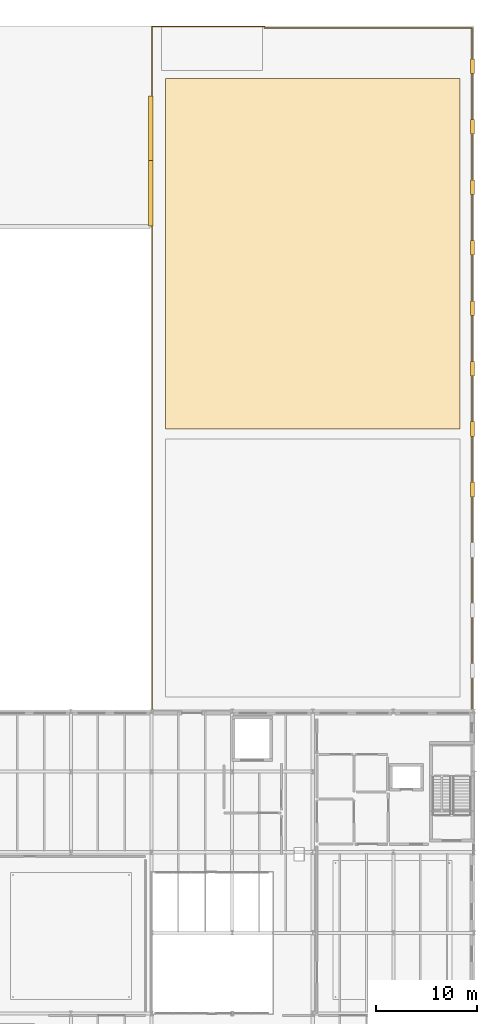
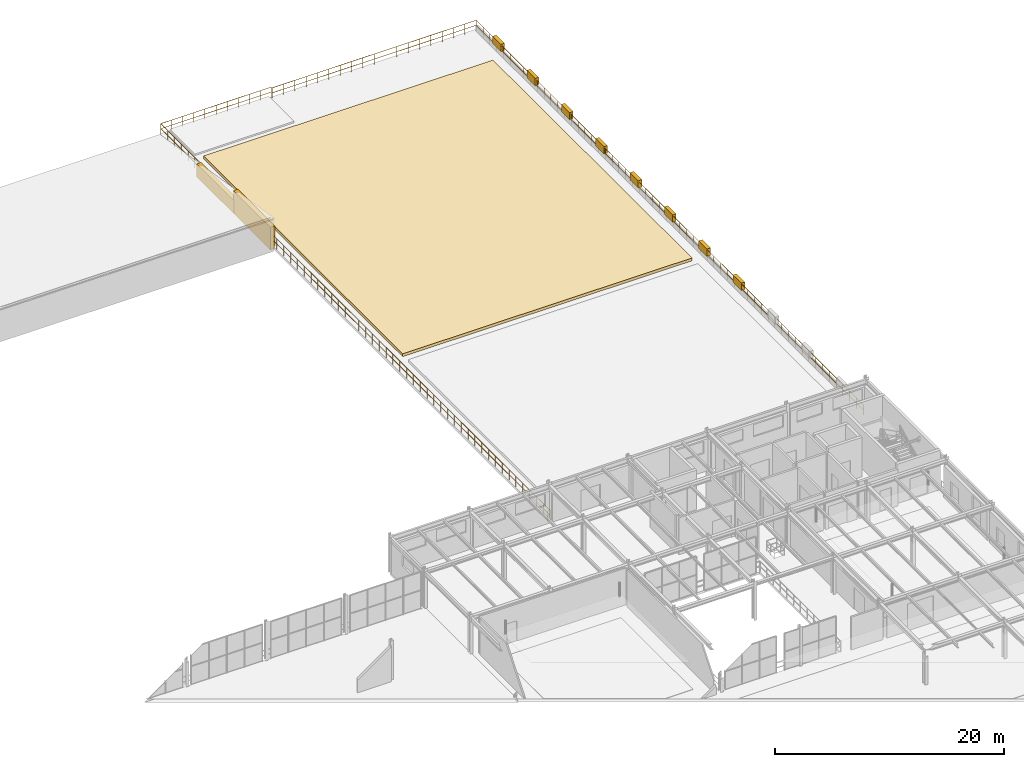
# One storey, part 67 of 67: 11 coverings, 2 railings.
"""IFC4 building model written with IfcOpenShell, lengths in metres."""

from ifc_helpers import new_model, si_unit, direction, frame, origin, origin_2d, place, context, subcontext, project, spatial, polyline, rectangle, circle, outline, extrude, material, layer, layer_set, type_object, element, save


model = new_model("IFC4")

# Units and contexts
model_context = context("Model", 3, precision=1e-05, world=origin(), true_north=direction((0.0, 1.0)))
body_context = subcontext(model_context, "Body", "Model", "MODEL_VIEW")
ifc_project = project(units=[si_unit("LENGTHUNIT", "METRE"), si_unit("AREAUNIT", "SQUARE_METRE"), si_unit("VOLUMEUNIT", "CUBIC_METRE"), si_unit("PLANEANGLEUNIT", "RADIAN"), si_unit("MASSUNIT", "GRAM", prefix="KILO")], contexts=[model_context])

# Site, building, storey
site_placement = place(None, origin())
site = spatial("IfcSite", under=ifc_project, at=site_placement, CompositionType="ELEMENT")
building_placement = place(site_placement, origin())
building = spatial("IfcBuilding", under=site, at=building_placement, Name="Sundkrona Museum", CompositionType="ELEMENT")
storey_placement = place(building_placement, frame((0.0, 0.0, 21.800048828125)))
storey = spatial("IfcBuildingStorey", under=building, at=storey_placement, Name="L04", CompositionType="ELEMENT", Elevation=21.800048828125)

# Coverings
ifc_material_1 = material(Name="Frost-Resistant Vitrified Stoneware Mosaic Cladding", Category="masonry")
ifc_layer_1 = layer(ifc_material_1, 0.044921875)
ifc_layer_set_1 = layer_set([ifc_layer_1], Name="Frost-Resistant Vitrified Stoneware Mosaic Cladding")
covering_type_1 = type_object("IfcCoveringType", Name="COV-CLD-MOS", PredefinedType="CLADDING", material=ifc_layer_set_1)
for number, where, z_axis, x_axis, name in (
    (1, (167.85009765625, 68.0, 0.52978515625), (0.0, 0.0, 1.0), (1.0, 0.0, 0.0), "Catalan Modernisme Stepped Ceramic Merlon 10"),
    (2, (167.85009765625, 74.0, 0.52978515625), (0.0, 0.0, 1.0), (1.0, 0.0, 0.0), "Catalan Modernisme Stepped Ceramic Merlon 11"),
    (3, (167.85009765625, 80.0, 0.52978515625), (0.0, 0.0, 1.0), (1.0, 0.0, 0.0), "Catalan Modernisme Stepped Ceramic Merlon 12"),
    (4, (167.85009765625, 86.0, 0.52978515625), (0.0, 0.0, 1.0), (1.0, 0.0, 0.0), "Catalan Modernisme Stepped Ceramic Merlon 13"),
    (5, (167.85009765625, 92.0, 0.52978515625), (0.0, 0.0, 1.0), (1.0, 0.0, 0.0), "Catalan Modernisme Stepped Ceramic Merlon 14"),
    (6, (167.85009765625, 98.0, 0.52978515625), (0.0, 0.0, 1.0), (1.0, 0.0, 0.0), "Catalan Modernisme Stepped Ceramic Merlon 15"),
    (7, (167.85009765625, 104.0, 0.52978515625), (0.0, 0.0, 1.0), (1.0, 0.0, 0.0), "Catalan Modernisme Stepped Ceramic Merlon 16"),
    (8, (167.85009765625, 110.0, 0.52978515625), (0.0, 0.0, 1.0), (1.0, 0.0, 0.0), "Catalan Modernisme Stepped Ceramic Merlon 17"),
):
    element("IfcCovering", number, at=place(storey_placement, frame(where, z_axis=z_axis, x_axis=x_axis)), inside=storey, type_object=covering_type_1, Name=name, PredefinedType="CLADDING", context=body_context, shape_type="SweptSolid", body=[
        extrude(rectangle(XDim=0.360107421875, YDim=1.449951171875, at=origin_2d()), origin(), (0.0, 0.0, 1.0), 0.780029296875),
    ])
ifc_material_2 = material(Name="Standing-Seam Patinated Copper Roofing", Category="other")
ifc_layer_2 = layer(ifc_material_2, 0.044921875)
ifc_layer_set_2 = layer_set([ifc_layer_2], Name="Standing-Seam Patinated Copper Roofing")
covering_type_2 = type_object("IfcCoveringType", Name="COV-RF-COP", PredefinedType="ROOFING", material=ifc_layer_set_2)
covering_1_placement = place(storey_placement, frame((135.919921875, 97.39990234375, -0.27001953125), z_axis=(0.0, 0.0, 1.0), x_axis=(0.0, 1.0, 0.0)))
element("IfcCovering", 9, at=covering_1_placement, inside=storey, type_object=covering_type_2, Name="Conservation Wing E Gable Tympanum 1", PredefinedType="ROOFING", context=body_context, shape_type="SweptSolid", body=[
    extrude(rectangle(XDim=6.47998046875, YDim=0.43994140625, at=origin_2d()), origin(), (0.0, 0.0, 1.0), 2.424072265625),
])
covering_2_placement = place(storey_placement, frame((135.919921875, 103.800048828125, -0.27001953125), z_axis=(0.0, 0.0, 1.0), x_axis=(0.0, 1.0, 0.0)))
element("IfcCovering", 10, at=covering_2_placement, inside=storey, type_object=covering_type_2, Name="Conservation Wing E Gable Tympanum 2", PredefinedType="ROOFING", context=body_context, shape_type="SweptSolid", body=[
    extrude(rectangle(XDim=6.47998046875, YDim=0.43994140625, at=origin_2d()), origin(), (0.0, 0.0, 1.0), 1.39990234375),
])
ifc_material_3 = material(Name="Extensive Sedum Planting Substrate and Root-Barrier Membrane", Category="other")
ifc_layer_3 = layer(ifc_material_3, 0.300048828125)
ifc_layer_set_3 = layer_set([ifc_layer_3], Name="Extensive Sedum Planting Substrate and Root-Barrier Membrane")
covering_type_3 = type_object("IfcCoveringType", Name="COV-RF-GRN", PredefinedType="ROOFING", material=ifc_layer_set_3)
covering_3_placement = place(storey_placement, origin())
element("IfcCovering", 11, at=covering_3_placement, inside=storey, type_object=covering_type_3, Name="L04 Sedum Stormwater Roof Garden Build-Up (COV-GRN-L04-TR5B)", PredefinedType="ROOFING", context=body_context, shape_type="SweptSolid", body=[
    extrude(outline(polyline([(137.39990234375, 74.0), (166.60009765625, 74.0), (166.60009765625, 108.800048828125), (137.39990234375, 108.800048828125), (137.39990234375, 74.0)])), origin(), (0.0, 0.0, 1.0), 0.300048828125),
])

# Railings
ifc_material_4 = material(Name="Painted Steel S355J2 and Laminated Glass Balustrade", Category="steel")
railing_type = type_object("IfcRailingType", Name="RL-GUARD-1100", PredefinedType="BALUSTRADE", material=ifc_material_4)
railing_1_placement = place(storey_placement, frame((167.800048828125, 46.199951171875, 0.0)))
element("IfcRailing", 12, at=railing_1_placement, inside=storey, type_object=railing_type, Name="L04 East Meadow Roof Garden Terrace Perimeter Guard", PredefinedType="BALUSTRADE", context=body_context, shape_type="SweptSolid", body=[
    extrude(circle(Radius=0.02392578125, at=origin_2d()), frame((0.0, 0.0, 1.09619140625), z_axis=(0.0, 1.0, 0.0), x_axis=(-1.0, 0.0, 0.0)), (0.0, 0.0, 1.0), 67.60009765625),
    extrude(circle(Radius=0.02392578125, at=origin_2d()), frame((0.0, 0.0, 0.56005859375), z_axis=(0.0, 1.0, 0.0), x_axis=(-1.0, 0.0, 0.0)), (0.0, 0.0, 1.0), 67.60009765625),
    extrude(circle(Radius=0.02392578125, at=origin_2d()), frame((0.0, 67.60009765625, 1.09619140625), z_axis=(-1.0, 0.0, 0.0), x_axis=(0.0, -1.0, 0.0)), (0.0, 0.0, 1.0), 20.60009765625),
    extrude(circle(Radius=0.02392578125, at=origin_2d()), frame((0.0, 67.60009765625, 0.56005859375), z_axis=(-1.0, 0.0, 0.0), x_axis=(0.0, -1.0, 0.0)), (0.0, 0.0, 1.0), 20.60009765625),
    extrude(circle(Radius=0.02099609375, at=origin_2d()), origin(), (0.0, 0.0, 1.0), 1.072021484375),
    extrude(circle(Radius=0.02099609375, at=origin_2d()), frame((0.0, 1.18603515625, 0.0)), (0.0, 0.0, 1.0), 1.072021484375),
    extrude(circle(Radius=0.02099609375, at=origin_2d()), frame((0.0, 2.371826171875, 0.0)), (0.0, 0.0, 1.0), 1.072021484375),
    extrude(circle(Radius=0.02099609375, at=origin_2d()), frame((0.0, 3.557861328125, 0.0)), (0.0, 0.0, 1.0), 1.072021484375),
    extrude(circle(Radius=0.02099609375, at=origin_2d()), frame((0.0, 4.743896484375, 0.0)), (0.0, 0.0, 1.0), 1.072021484375),
    extrude(circle(Radius=0.02099609375, at=origin_2d()), frame((0.0, 5.929931640625, 0.0)), (0.0, 0.0, 1.0), 1.072021484375),
    extrude(circle(Radius=0.02099609375, at=origin_2d()), frame((0.0, 7.11572265625, 0.0)), (0.0, 0.0, 1.0), 1.072021484375),
    extrude(circle(Radius=0.02099609375, at=origin_2d()), frame((0.0, 8.3017578125, 0.0)), (0.0, 0.0, 1.0), 1.072021484375),
    extrude(circle(Radius=0.02099609375, at=origin_2d()), frame((0.0, 9.48779296875, 0.0)), (0.0, 0.0, 1.0), 1.072021484375),
    extrude(circle(Radius=0.02099609375, at=origin_2d()), frame((0.0, 10.673583984375, 0.0)), (0.0, 0.0, 1.0), 1.072021484375),
    extrude(circle(Radius=0.02099609375, at=origin_2d()), frame((0.0, 11.859619140625, 0.0)), (0.0, 0.0, 1.0), 1.072021484375),
    extrude(circle(Radius=0.02099609375, at=origin_2d()), frame((0.0, 13.045654296875, 0.0)), (0.0, 0.0, 1.0), 1.072021484375),
    extrude(circle(Radius=0.02099609375, at=origin_2d()), frame((0.0, 14.231689453125, 0.0)), (0.0, 0.0, 1.0), 1.072021484375),
    extrude(circle(Radius=0.02099609375, at=origin_2d()), frame((0.0, 15.41748046875, 0.0)), (0.0, 0.0, 1.0), 1.072021484375),
    extrude(circle(Radius=0.02099609375, at=origin_2d()), frame((0.0, 16.603515625, 0.0)), (0.0, 0.0, 1.0), 1.072021484375),
    extrude(circle(Radius=0.02099609375, at=origin_2d()), frame((0.0, 17.78955078125, 0.0)), (0.0, 0.0, 1.0), 1.072021484375),
    extrude(circle(Radius=0.02099609375, at=origin_2d()), frame((0.0, 18.9755859375, 0.0)), (0.0, 0.0, 1.0), 1.072021484375),
    extrude(circle(Radius=0.02099609375, at=origin_2d()), frame((0.0, 20.161376953125, 0.0)), (0.0, 0.0, 1.0), 1.072021484375),
    extrude(circle(Radius=0.02099609375, at=origin_2d()), frame((0.0, 21.347412109375, 0.0)), (0.0, 0.0, 1.0), 1.072021484375),
    extrude(circle(Radius=0.02099609375, at=origin_2d()), frame((0.0, 22.533447265625, 0.0)), (0.0, 0.0, 1.0), 1.072021484375),
    extrude(circle(Radius=0.02099609375, at=origin_2d()), frame((0.0, 23.71923828125, 0.0)), (0.0, 0.0, 1.0), 1.072021484375),
    extrude(circle(Radius=0.02099609375, at=origin_2d()), frame((0.0, 24.9052734375, 0.0)), (0.0, 0.0, 1.0), 1.072021484375),
    extrude(circle(Radius=0.02099609375, at=origin_2d()), frame((0.0, 26.09130859375, 0.0)), (0.0, 0.0, 1.0), 1.072021484375),
    extrude(circle(Radius=0.02099609375, at=origin_2d()), frame((0.0, 27.27734375, 0.0)), (0.0, 0.0, 1.0), 1.072021484375),
    extrude(circle(Radius=0.02099609375, at=origin_2d()), frame((0.0, 28.463134765625, 0.0)), (0.0, 0.0, 1.0), 1.072021484375),
    extrude(circle(Radius=0.02099609375, at=origin_2d()), frame((0.0, 29.649169921875, 0.0)), (0.0, 0.0, 1.0), 1.072021484375),
    extrude(circle(Radius=0.02099609375, at=origin_2d()), frame((0.0, 30.835205078125, 0.0)), (0.0, 0.0, 1.0), 1.072021484375),
    extrude(circle(Radius=0.02099609375, at=origin_2d()), frame((0.0, 32.02099609375, 0.0)), (0.0, 0.0, 1.0), 1.072021484375),
    extrude(circle(Radius=0.02099609375, at=origin_2d()), frame((0.0, 33.20703125, 0.0)), (0.0, 0.0, 1.0), 1.072021484375),
    extrude(circle(Radius=0.02099609375, at=origin_2d()), frame((0.0, 34.39306640625, 0.0)), (0.0, 0.0, 1.0), 1.072021484375),
    extrude(circle(Radius=0.02099609375, at=origin_2d()), frame((0.0, 35.5791015625, 0.0)), (0.0, 0.0, 1.0), 1.072021484375),
    extrude(circle(Radius=0.02099609375, at=origin_2d()), frame((0.0, 36.764892578125, 0.0)), (0.0, 0.0, 1.0), 1.072021484375),
    extrude(circle(Radius=0.02099609375, at=origin_2d()), frame((0.0, 37.950927734375, 0.0)), (0.0, 0.0, 1.0), 1.072021484375),
    extrude(circle(Radius=0.02099609375, at=origin_2d()), frame((0.0, 39.136962890625, 0.0)), (0.0, 0.0, 1.0), 1.072021484375),
    extrude(circle(Radius=0.02099609375, at=origin_2d()), frame((0.0, 40.32275390625, 0.0)), (0.0, 0.0, 1.0), 1.072021484375),
    extrude(circle(Radius=0.02099609375, at=origin_2d()), frame((0.0, 41.5087890625, 0.0)), (0.0, 0.0, 1.0), 1.072021484375),
    extrude(circle(Radius=0.02099609375, at=origin_2d()), frame((0.0, 42.69482421875, 0.0)), (0.0, 0.0, 1.0), 1.072021484375),
    extrude(circle(Radius=0.02099609375, at=origin_2d()), frame((0.0, 43.880859375, 0.0)), (0.0, 0.0, 1.0), 1.072021484375),
    extrude(circle(Radius=0.02099609375, at=origin_2d()), frame((0.0, 45.066650390625, 0.0)), (0.0, 0.0, 1.0), 1.072021484375),
    extrude(circle(Radius=0.02099609375, at=origin_2d()), frame((0.0, 46.252685546875, 0.0)), (0.0, 0.0, 1.0), 1.072021484375),
    extrude(circle(Radius=0.02099609375, at=origin_2d()), frame((0.0, 47.438720703125, 0.0)), (0.0, 0.0, 1.0), 1.072021484375),
    extrude(circle(Radius=0.02099609375, at=origin_2d()), frame((0.0, 48.62451171875, 0.0)), (0.0, 0.0, 1.0), 1.072021484375),
    extrude(circle(Radius=0.02099609375, at=origin_2d()), frame((0.0, 49.810546875, 0.0)), (0.0, 0.0, 1.0), 1.072021484375),
    extrude(circle(Radius=0.02099609375, at=origin_2d()), frame((0.0, 50.99658203125, 0.0)), (0.0, 0.0, 1.0), 1.072021484375),
    extrude(circle(Radius=0.02099609375, at=origin_2d()), frame((0.0, 52.1826171875, 0.0)), (0.0, 0.0, 1.0), 1.072021484375),
    extrude(circle(Radius=0.02099609375, at=origin_2d()), frame((0.0, 53.368408203125, 0.0)), (0.0, 0.0, 1.0), 1.072021484375),
    extrude(circle(Radius=0.02099609375, at=origin_2d()), frame((0.0, 54.554443359375, 0.0)), (0.0, 0.0, 1.0), 1.072021484375),
    extrude(circle(Radius=0.02099609375, at=origin_2d()), frame((0.0, 55.740478515625, 0.0)), (0.0, 0.0, 1.0), 1.072021484375),
    extrude(circle(Radius=0.02099609375, at=origin_2d()), frame((0.0, 56.926513671875, 0.0)), (0.0, 0.0, 1.0), 1.072021484375),
    extrude(circle(Radius=0.02099609375, at=origin_2d()), frame((0.0, 58.1123046875, 0.0)), (0.0, 0.0, 1.0), 1.072021484375),
    extrude(circle(Radius=0.02099609375, at=origin_2d()), frame((0.0, 59.29833984375, 0.0)), (0.0, 0.0, 1.0), 1.072021484375),
    extrude(circle(Radius=0.02099609375, at=origin_2d()), frame((0.0, 60.484375, 0.0)), (0.0, 0.0, 1.0), 1.072021484375),
    extrude(circle(Radius=0.02099609375, at=origin_2d()), frame((0.0, 61.670166015625, 0.0)), (0.0, 0.0, 1.0), 1.072021484375),
    extrude(circle(Radius=0.02099609375, at=origin_2d()), frame((0.0, 62.856201171875, 0.0)), (0.0, 0.0, 1.0), 1.072021484375),
    extrude(circle(Radius=0.02099609375, at=origin_2d()), frame((0.0, 64.042236328125, 0.0)), (0.0, 0.0, 1.0), 1.072021484375),
    extrude(circle(Radius=0.02099609375, at=origin_2d()), frame((0.0, 65.228271484375, 0.0)), (0.0, 0.0, 1.0), 1.072021484375),
    extrude(circle(Radius=0.02099609375, at=origin_2d()), frame((0.0, 66.4140625, 0.0)), (0.0, 0.0, 1.0), 1.072021484375),
    extrude(circle(Radius=0.02099609375, at=origin_2d()), frame((0.0, 67.60009765625, 0.0)), (0.0, 0.0, 1.0), 1.072021484375),
    extrude(circle(Radius=0.02099609375, at=origin_2d()), frame((-1.14453125, 67.60009765625, 0.0)), (0.0, 0.0, 1.0), 1.072021484375),
    extrude(circle(Radius=0.02099609375, at=origin_2d()), frame((-2.288818359375, 67.60009765625, 0.0)), (0.0, 0.0, 1.0), 1.072021484375),
    extrude(circle(Radius=0.02099609375, at=origin_2d()), frame((-3.433349609375, 67.60009765625, 0.0)), (0.0, 0.0, 1.0), 1.072021484375),
    extrude(circle(Radius=0.02099609375, at=origin_2d()), frame((-4.577880859375, 67.60009765625, 0.0)), (0.0, 0.0, 1.0), 1.072021484375),
    extrude(circle(Radius=0.02099609375, at=origin_2d()), frame((-5.72216796875, 67.60009765625, 0.0)), (0.0, 0.0, 1.0), 1.072021484375),
    extrude(circle(Radius=0.02099609375, at=origin_2d()), frame((-6.86669921875, 67.60009765625, 0.0)), (0.0, 0.0, 1.0), 1.072021484375),
    extrude(circle(Radius=0.02099609375, at=origin_2d()), frame((-8.01123046875, 67.60009765625, 0.0)), (0.0, 0.0, 1.0), 1.072021484375),
    extrude(circle(Radius=0.02099609375, at=origin_2d()), frame((-9.155517578125, 67.60009765625, 0.0)), (0.0, 0.0, 1.0), 1.072021484375),
    extrude(circle(Radius=0.02099609375, at=origin_2d()), frame((-10.300048828125, 67.60009765625, 0.0)), (0.0, 0.0, 1.0), 1.072021484375),
    extrude(circle(Radius=0.02099609375, at=origin_2d()), frame((-11.444580078125, 67.60009765625, 0.0)), (0.0, 0.0, 1.0), 1.072021484375),
    extrude(circle(Radius=0.02099609375, at=origin_2d()), frame((-12.5888671875, 67.60009765625, 0.0)), (0.0, 0.0, 1.0), 1.072021484375),
    extrude(circle(Radius=0.02099609375, at=origin_2d()), frame((-13.7333984375, 67.60009765625, 0.0)), (0.0, 0.0, 1.0), 1.072021484375),
    extrude(circle(Radius=0.02099609375, at=origin_2d()), frame((-14.8779296875, 67.60009765625, 0.0)), (0.0, 0.0, 1.0), 1.072021484375),
    extrude(circle(Radius=0.02099609375, at=origin_2d()), frame((-16.022216796875, 67.60009765625, 0.0)), (0.0, 0.0, 1.0), 1.072021484375),
    extrude(circle(Radius=0.02099609375, at=origin_2d()), frame((-17.166748046875, 67.60009765625, 0.0)), (0.0, 0.0, 1.0), 1.072021484375),
    extrude(circle(Radius=0.02099609375, at=origin_2d()), frame((-18.311279296875, 67.60009765625, 0.0)), (0.0, 0.0, 1.0), 1.072021484375),
    extrude(circle(Radius=0.02099609375, at=origin_2d()), frame((-19.45556640625, 67.60009765625, 0.0)), (0.0, 0.0, 1.0), 1.072021484375),
    extrude(circle(Radius=0.02099609375, at=origin_2d()), frame((-20.60009765625, 67.60009765625, 0.0)), (0.0, 0.0, 1.0), 1.072021484375),
])
railing_2_placement = place(storey_placement, frame((135.847900390625, 45.93994140625, 0.0)))
element("IfcRailing", 13, at=railing_2_placement, inside=storey, type_object=railing_type, Name="L04 Edge Protection Balustrade 027", PredefinedType="BALUSTRADE", context=body_context, shape_type="SweptSolid", body=[
    extrude(circle(Radius=0.02392578125, at=origin_2d()), frame((0.0, 0.0, 1.09619140625), z_axis=(1.0, 0.0, 0.0), x_axis=(0.0, 1.0, 0.0)), (0.0, 0.0, 1.0), 0.212158203125),
    extrude(circle(Radius=0.02392578125, at=origin_2d()), frame((0.0, 0.0, 0.56005859375), z_axis=(1.0, 0.0, 0.0), x_axis=(0.0, 1.0, 0.0)), (0.0, 0.0, 1.0), 0.212158203125),
    extrude(circle(Radius=0.02392578125, at=origin_2d()), frame((0.212158203125, 0.0, 1.09619140625), z_axis=(0.0, 1.0, 0.0), x_axis=(-1.0, 0.0, 0.0)), (0.0, 0.0, 1.0), 68.0),
    extrude(circle(Radius=0.02392578125, at=origin_2d()), frame((0.212158203125, 0.0, 0.56005859375), z_axis=(0.0, 1.0, 0.0), x_axis=(-1.0, 0.0, 0.0)), (0.0, 0.0, 1.0), 68.0),
    extrude(circle(Radius=0.02392578125, at=origin_2d()), frame((0.212158203125, 68.0, 1.09619140625), z_axis=(1.0, 0.0, 0.0), x_axis=(0.0, 1.0, 0.0)), (0.0, 0.0, 1.0), 11.139892578125),
    extrude(circle(Radius=0.02392578125, at=origin_2d()), frame((0.212158203125, 68.0, 0.56005859375), z_axis=(1.0, 0.0, 0.0), x_axis=(0.0, 1.0, 0.0)), (0.0, 0.0, 1.0), 11.139892578125),
    extrude(circle(Radius=0.02099609375, at=origin_2d()), origin(), (0.0, 0.0, 1.0), 1.072021484375),
    extrude(circle(Radius=0.02099609375, at=origin_2d()), frame((0.212158203125, 0.0, 0.0)), (0.0, 0.0, 1.0), 1.072021484375),
    extrude(circle(Radius=0.02099609375, at=origin_2d()), frame((0.212158203125, 1.19287109375, 0.0)), (0.0, 0.0, 1.0), 1.072021484375),
    extrude(circle(Radius=0.02099609375, at=origin_2d()), frame((0.212158203125, 2.385986328125, 0.0)), (0.0, 0.0, 1.0), 1.072021484375),
    extrude(circle(Radius=0.02099609375, at=origin_2d()), frame((0.212158203125, 3.578857421875, 0.0)), (0.0, 0.0, 1.0), 1.072021484375),
    extrude(circle(Radius=0.02099609375, at=origin_2d()), frame((0.212158203125, 4.77197265625, 0.0)), (0.0, 0.0, 1.0), 1.072021484375),
    extrude(circle(Radius=0.02099609375, at=origin_2d()), frame((0.212158203125, 5.96484375, 0.0)), (0.0, 0.0, 1.0), 1.072021484375),
    extrude(circle(Radius=0.02099609375, at=origin_2d()), frame((0.212158203125, 7.157958984375, 0.0)), (0.0, 0.0, 1.0), 1.072021484375),
    extrude(circle(Radius=0.02099609375, at=origin_2d()), frame((0.212158203125, 8.350830078125, 0.0)), (0.0, 0.0, 1.0), 1.072021484375),
    extrude(circle(Radius=0.02099609375, at=origin_2d()), frame((0.212158203125, 9.5439453125, 0.0)), (0.0, 0.0, 1.0), 1.072021484375),
    extrude(circle(Radius=0.02099609375, at=origin_2d()), frame((0.212158203125, 10.73681640625, 0.0)), (0.0, 0.0, 1.0), 1.072021484375),
    extrude(circle(Radius=0.02099609375, at=origin_2d()), frame((0.212158203125, 11.929931640625, 0.0)), (0.0, 0.0, 1.0), 1.072021484375),
    extrude(circle(Radius=0.02099609375, at=origin_2d()), frame((0.212158203125, 13.122802734375, 0.0)), (0.0, 0.0, 1.0), 1.072021484375),
    extrude(circle(Radius=0.02099609375, at=origin_2d()), frame((0.212158203125, 14.315673828125, 0.0)), (0.0, 0.0, 1.0), 1.072021484375),
    extrude(circle(Radius=0.02099609375, at=origin_2d()), frame((0.212158203125, 15.5087890625, 0.0)), (0.0, 0.0, 1.0), 1.072021484375),
    extrude(circle(Radius=0.02099609375, at=origin_2d()), frame((0.212158203125, 16.70166015625, 0.0)), (0.0, 0.0, 1.0), 1.072021484375),
    extrude(circle(Radius=0.02099609375, at=origin_2d()), frame((0.212158203125, 17.894775390625, 0.0)), (0.0, 0.0, 1.0), 1.072021484375),
    extrude(circle(Radius=0.02099609375, at=origin_2d()), frame((0.212158203125, 19.087646484375, 0.0)), (0.0, 0.0, 1.0), 1.072021484375),
    extrude(circle(Radius=0.02099609375, at=origin_2d()), frame((0.212158203125, 20.28076171875, 0.0)), (0.0, 0.0, 1.0), 1.072021484375),
    extrude(circle(Radius=0.02099609375, at=origin_2d()), frame((0.212158203125, 21.4736328125, 0.0)), (0.0, 0.0, 1.0), 1.072021484375),
    extrude(circle(Radius=0.02099609375, at=origin_2d()), frame((0.212158203125, 22.666748046875, 0.0)), (0.0, 0.0, 1.0), 1.072021484375),
    extrude(circle(Radius=0.02099609375, at=origin_2d()), frame((0.212158203125, 23.859619140625, 0.0)), (0.0, 0.0, 1.0), 1.072021484375),
    extrude(circle(Radius=0.02099609375, at=origin_2d()), frame((0.212158203125, 25.052734375, 0.0)), (0.0, 0.0, 1.0), 1.072021484375),
    extrude(circle(Radius=0.02099609375, at=origin_2d()), frame((0.212158203125, 26.24560546875, 0.0)), (0.0, 0.0, 1.0), 1.072021484375),
    extrude(circle(Radius=0.02099609375, at=origin_2d()), frame((0.212158203125, 27.4384765625, 0.0)), (0.0, 0.0, 1.0), 1.072021484375),
    extrude(circle(Radius=0.02099609375, at=origin_2d()), frame((0.212158203125, 28.631591796875, 0.0)), (0.0, 0.0, 1.0), 1.072021484375),
    extrude(circle(Radius=0.02099609375, at=origin_2d()), frame((0.212158203125, 29.824462890625, 0.0)), (0.0, 0.0, 1.0), 1.072021484375),
    extrude(circle(Radius=0.02099609375, at=origin_2d()), frame((0.212158203125, 31.017578125, 0.0)), (0.0, 0.0, 1.0), 1.072021484375),
    extrude(circle(Radius=0.02099609375, at=origin_2d()), frame((0.212158203125, 32.21044921875, 0.0)), (0.0, 0.0, 1.0), 1.072021484375),
    extrude(circle(Radius=0.02099609375, at=origin_2d()), frame((0.212158203125, 33.403564453125, 0.0)), (0.0, 0.0, 1.0), 1.072021484375),
    extrude(circle(Radius=0.02099609375, at=origin_2d()), frame((0.212158203125, 34.596435546875, 0.0)), (0.0, 0.0, 1.0), 1.072021484375),
    extrude(circle(Radius=0.02099609375, at=origin_2d()), frame((0.212158203125, 35.78955078125, 0.0)), (0.0, 0.0, 1.0), 1.072021484375),
    extrude(circle(Radius=0.02099609375, at=origin_2d()), frame((0.212158203125, 36.982421875, 0.0)), (0.0, 0.0, 1.0), 1.072021484375),
    extrude(circle(Radius=0.02099609375, at=origin_2d()), frame((0.212158203125, 38.175537109375, 0.0)), (0.0, 0.0, 1.0), 1.072021484375),
    extrude(circle(Radius=0.02099609375, at=origin_2d()), frame((0.212158203125, 39.368408203125, 0.0)), (0.0, 0.0, 1.0), 1.072021484375),
    extrude(circle(Radius=0.02099609375, at=origin_2d()), frame((0.212158203125, 40.5615234375, 0.0)), (0.0, 0.0, 1.0), 1.072021484375),
    extrude(circle(Radius=0.02099609375, at=origin_2d()), frame((0.212158203125, 41.75439453125, 0.0)), (0.0, 0.0, 1.0), 1.072021484375),
    extrude(circle(Radius=0.02099609375, at=origin_2d()), frame((0.212158203125, 42.947265625, 0.0)), (0.0, 0.0, 1.0), 1.072021484375),
    extrude(circle(Radius=0.02099609375, at=origin_2d()), frame((0.212158203125, 44.140380859375, 0.0)), (0.0, 0.0, 1.0), 1.072021484375),
    extrude(circle(Radius=0.02099609375, at=origin_2d()), frame((0.212158203125, 45.333251953125, 0.0)), (0.0, 0.0, 1.0), 1.072021484375),
    extrude(circle(Radius=0.02099609375, at=origin_2d()), frame((0.212158203125, 46.5263671875, 0.0)), (0.0, 0.0, 1.0), 1.072021484375),
    extrude(circle(Radius=0.02099609375, at=origin_2d()), frame((0.212158203125, 47.71923828125, 0.0)), (0.0, 0.0, 1.0), 1.072021484375),
    extrude(circle(Radius=0.02099609375, at=origin_2d()), frame((0.212158203125, 48.912353515625, 0.0)), (0.0, 0.0, 1.0), 1.072021484375),
    extrude(circle(Radius=0.02099609375, at=origin_2d()), frame((0.212158203125, 50.105224609375, 0.0)), (0.0, 0.0, 1.0), 1.072021484375),
    extrude(circle(Radius=0.02099609375, at=origin_2d()), frame((0.212158203125, 51.29833984375, 0.0)), (0.0, 0.0, 1.0), 1.072021484375),
    extrude(circle(Radius=0.02099609375, at=origin_2d()), frame((0.212158203125, 52.4912109375, 0.0)), (0.0, 0.0, 1.0), 1.072021484375),
    extrude(circle(Radius=0.02099609375, at=origin_2d()), frame((0.212158203125, 53.684326171875, 0.0)), (0.0, 0.0, 1.0), 1.072021484375),
    extrude(circle(Radius=0.02099609375, at=origin_2d()), frame((0.212158203125, 54.877197265625, 0.0)), (0.0, 0.0, 1.0), 1.072021484375),
    extrude(circle(Radius=0.02099609375, at=origin_2d()), frame((0.212158203125, 56.070068359375, 0.0)), (0.0, 0.0, 1.0), 1.072021484375),
    extrude(circle(Radius=0.02099609375, at=origin_2d()), frame((0.212158203125, 57.26318359375, 0.0)), (0.0, 0.0, 1.0), 1.072021484375),
    extrude(circle(Radius=0.02099609375, at=origin_2d()), frame((0.212158203125, 58.4560546875, 0.0)), (0.0, 0.0, 1.0), 1.072021484375),
    extrude(circle(Radius=0.02099609375, at=origin_2d()), frame((0.212158203125, 59.649169921875, 0.0)), (0.0, 0.0, 1.0), 1.072021484375),
    extrude(circle(Radius=0.02099609375, at=origin_2d()), frame((0.212158203125, 60.842041015625, 0.0)), (0.0, 0.0, 1.0), 1.072021484375),
    extrude(circle(Radius=0.02099609375, at=origin_2d()), frame((0.212158203125, 62.03515625, 0.0)), (0.0, 0.0, 1.0), 1.072021484375),
    extrude(circle(Radius=0.02099609375, at=origin_2d()), frame((0.212158203125, 63.22802734375, 0.0)), (0.0, 0.0, 1.0), 1.072021484375),
    extrude(circle(Radius=0.02099609375, at=origin_2d()), frame((0.212158203125, 64.421142578125, 0.0)), (0.0, 0.0, 1.0), 1.072021484375),
    extrude(circle(Radius=0.02099609375, at=origin_2d()), frame((0.212158203125, 65.614013671875, 0.0)), (0.0, 0.0, 1.0), 1.072021484375),
    extrude(circle(Radius=0.02099609375, at=origin_2d()), frame((0.212158203125, 66.80712890625, 0.0)), (0.0, 0.0, 1.0), 1.072021484375),
    extrude(circle(Radius=0.02099609375, at=origin_2d()), frame((0.212158203125, 68.0, 0.0)), (0.0, 0.0, 1.0), 1.072021484375),
    extrude(circle(Radius=0.02099609375, at=origin_2d()), frame((1.326171875, 68.0, 0.0)), (0.0, 0.0, 1.0), 1.072021484375),
    extrude(circle(Radius=0.02099609375, at=origin_2d()), frame((2.440185546875, 68.0, 0.0)), (0.0, 0.0, 1.0), 1.072021484375),
    extrude(circle(Radius=0.02099609375, at=origin_2d()), frame((3.55419921875, 68.0, 0.0)), (0.0, 0.0, 1.0), 1.072021484375),
    extrude(circle(Radius=0.02099609375, at=origin_2d()), frame((4.668212890625, 68.0, 0.0)), (0.0, 0.0, 1.0), 1.072021484375),
    extrude(circle(Radius=0.02099609375, at=origin_2d()), frame((5.7822265625, 68.0, 0.0)), (0.0, 0.0, 1.0), 1.072021484375),
    extrude(circle(Radius=0.02099609375, at=origin_2d()), frame((6.89599609375, 68.0, 0.0)), (0.0, 0.0, 1.0), 1.072021484375),
    extrude(circle(Radius=0.02099609375, at=origin_2d()), frame((8.010009765625, 68.0, 0.0)), (0.0, 0.0, 1.0), 1.072021484375),
    extrude(circle(Radius=0.02099609375, at=origin_2d()), frame((9.1240234375, 68.0, 0.0)), (0.0, 0.0, 1.0), 1.072021484375),
    extrude(circle(Radius=0.02099609375, at=origin_2d()), frame((10.238037109375, 68.0, 0.0)), (0.0, 0.0, 1.0), 1.072021484375),
    extrude(circle(Radius=0.02099609375, at=origin_2d()), frame((11.35205078125, 68.0, 0.0)), (0.0, 0.0, 1.0), 1.072021484375),
])

save(model, "model.ifc")
